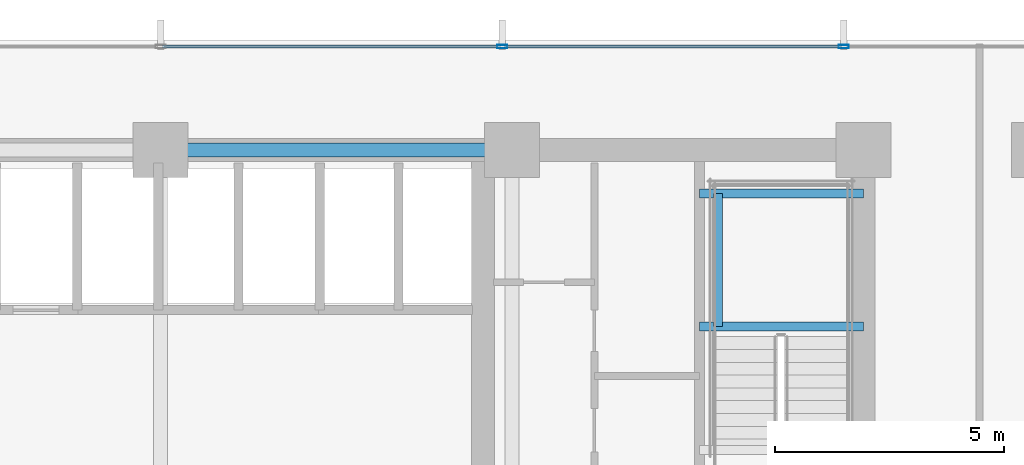
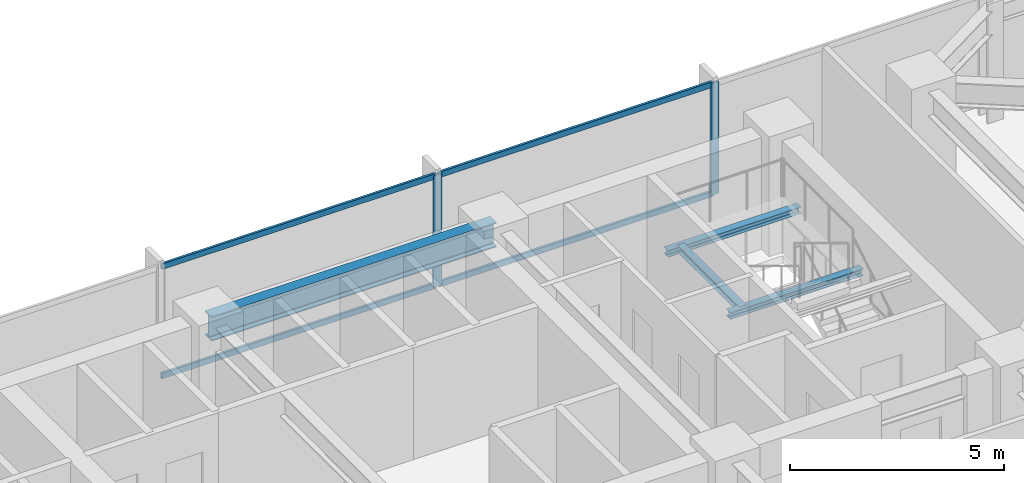
# One storey, part 19 of 32: 6 members, 4 beams, 1 element without a shape of its own.
"""IFC4 building model written with IfcOpenShell, lengths in metres."""

from ifc_helpers import new_model, si_unit, direction, frame, origin, origin_2d, place, context, subcontext, project, spatial, hollow_rectangle, i_section, extrude, material, material_profile, profile_set, type_object, element, aggregate, save


model = new_model("IFC4")

# Units and contexts
model_context = context("Model", 3, precision=1e-05, world=origin(), true_north=direction((0.0, 1.0)))
body_context = subcontext(model_context, "Body", "Model", "MODEL_VIEW")
ifc_project = project(units=[si_unit("LENGTHUNIT", "METRE"), si_unit("AREAUNIT", "SQUARE_METRE"), si_unit("VOLUMEUNIT", "CUBIC_METRE"), si_unit("PLANEANGLEUNIT", "RADIAN"), si_unit("MASSUNIT", "GRAM", prefix="KILO")], contexts=[model_context])

# Site, building, storey
site_placement = place(None, origin())
site = spatial("IfcSite", under=ifc_project, at=site_placement, CompositionType="ELEMENT")
building_placement = place(site_placement, origin())
building = spatial("IfcBuilding", under=site, at=building_placement, Name="Yelkora Congress Tower", CompositionType="ELEMENT")
storey_placement = place(building_placement, frame((0.0, 0.0, 67.800048828125)))
storey = spatial("IfcBuildingStorey", under=building, at=storey_placement, Name="L17", CompositionType="ELEMENT", Elevation=67.800048828125)

# Beams
ifc_material_1 = material(Name="Steel S355J2", Category="steel")
ifc_material_profile_1 = material_profile(ifc_material_1, i_section(OverallWidth=0.300048828125, OverallDepth=0.699951171875, WebThickness=0.01708984375, FlangeThickness=0.031982421875, FilletRadius=0.027099609375, at=origin_2d()), Name="HEB 700")
ifc_profile_set_1 = profile_set([ifc_material_profile_1], Name="Steel S355J2")
beam_type_1 = type_object("IfcBeamType", Name="BM-GIRD-HEB700", PredefinedType="BEAM", material=ifc_profile_set_1)
beam_1_placement = place(storey_placement, frame((38.39990234375, 46.199951171875, 2.829833984375), z_axis=(1.0, 0.0, 0.0), x_axis=(0.0, 1.0, 0.0)))
element("IfcBeam", 1, at=beam_1_placement, inside=storey, type_object=beam_type_1, Name="L17 Core North Girder 4", PredefinedType="BEAM", context=body_context, shape_type="SweptSolid", body=[
    extrude(i_section(OverallWidth=0.300048828125, OverallDepth=0.699951171875, WebThickness=0.01708984375, FlangeThickness=0.031982421875, FilletRadius=0.027099609375, at=origin_2d()), origin(), (0.0, 0.0, 1.0), 7.68017578125),
])
ifc_material_profile_2 = material_profile(ifc_material_1, i_section(OverallWidth=0.199951171875, OverallDepth=0.18994140625, WebThickness=0.006591796875, FlangeThickness=0.010009765625, FilletRadius=0.01806640625, at=origin_2d()), Name="HEA 200")
ifc_profile_set_2 = profile_set([ifc_material_profile_2], Name="Steel S355J2")
beam_type_2 = type_object("IfcBeamType", Name="BM-LAND-HEA200", PredefinedType="BEAM", material=ifc_profile_set_2)
for number, where, z_axis, x_axis, name in (
    (2, (50.179931640625, 42.340087890625, 1.384521484375), (1.0, 0.0, 0.0), (0.0, 1.0, 0.0), "ST-02 L17 Landing Header Beam 1S"),
    (3, (50.179931640625, 45.25, 1.384521484375), (1.0, 0.0, 0.0), (0.0, 1.0, 0.0), "ST-02 L17 Landing Header Beam 1N"),
):
    element("IfcBeam", number, at=place(storey_placement, frame(where, z_axis=z_axis, x_axis=x_axis)), inside=storey, type_object=beam_type_2, Name=name, PredefinedType="BEAM", context=body_context, shape_type="SweptSolid", body=[
        extrude(i_section(OverallWidth=0.199951171875, OverallDepth=0.18994140625, WebThickness=0.006591796875, FlangeThickness=0.010009765625, FilletRadius=0.01806640625, at=origin_2d()), origin(), (0.0, 0.0, 1.0), 3.580078125),
    ])
beam_2_placement = place(storey_placement, frame((50.580078125, 42.340087890625, 1.384521484375), z_axis=(0.0, 1.0, 0.0), x_axis=(-1.0, 0.0, 0.0)))
element("IfcBeam", 4, at=beam_2_placement, inside=storey, type_object=beam_type_2, Name="ST-02 L17 Landing Trimmer Beam 1M", PredefinedType="BEAM", context=body_context, shape_type="SweptSolid", body=[
    extrude(i_section(OverallWidth=0.199951171875, OverallDepth=0.18994140625, WebThickness=0.006591796875, FlangeThickness=0.010009765625, FilletRadius=0.01806640625, at=origin_2d()), origin(), (0.0, 0.0, 1.0), 2.909912109375),
])

# Curtain wall, members
ifc_material_2 = material(Name="Anodised aluminium and insulated glass", Category="aluminium")
curtain_wall_type = type_object("IfcCurtainWallType", Name="CW-SYS-B1", PredefinedType="NOTDEFINED", material=ifc_material_2)
curtain_wall_placement = place(storey_placement, origin())
curtain_wall = element("IfcCurtainWall", 5, at=curtain_wall_placement, inside=storey, type_object=curtain_wall_type, Name="L17 Unitised Curtain Wall 10", PredefinedType="NOTDEFINED")
ifc_material_3 = material(Name="Anodised aluminium 6063-T6", Category="aluminium")
ifc_material_profile_3 = material_profile(ifc_material_3, hollow_rectangle(XDim=0.074951171875, YDim=0.219970703125, WallThickness=0.0048828125, at=origin_2d()), Name="ALU 75x220x5")
ifc_profile_set_3 = profile_set([ifc_material_profile_3], Name="Anodised aluminium 6063-T6")
member_type_1 = type_object("IfcMemberType", Name="MEM-ML-B1", PredefinedType="MULLION", material=ifc_profile_set_3)
member_1_placement = place(storey_placement, frame((45.864990234375, 48.4599609375, 0.0), z_axis=(0.0, 0.0, 1.0), x_axis=(0.0, 1.0, 0.0)))
member_1 = element("IfcMember", 6, at=member_1_placement, type_object=member_type_1, Name="CW-B1 mullion 6", PredefinedType="MULLION", context=body_context, shape_type="SweptSolid", body=[
    extrude(hollow_rectangle(XDim=0.074951171875, YDim=0.219970703125, WallThickness=0.0048828125, at=origin_2d()), origin(), (0.0, 0.0, 1.0), 3.179931640625),
])
member_2_placement = place(storey_placement, frame((53.330078125, 48.4599609375, 0.0), z_axis=(0.0, 0.0, 1.0), x_axis=(0.0, 1.0, 0.0)))
member_2 = element("IfcMember", 7, at=member_2_placement, type_object=member_type_1, Name="CW-B1 mullion 7", PredefinedType="MULLION", context=body_context, shape_type="SweptSolid", body=[
    extrude(hollow_rectangle(XDim=0.074951171875, YDim=0.219970703125, WallThickness=0.0048828125, at=origin_2d()), origin(), (0.0, 0.0, 1.0), 3.179931640625),
])
ifc_material_profile_4 = material_profile(ifc_material_3, hollow_rectangle(XDim=0.06494140625, YDim=0.159912109375, WallThickness=0.00390625, at=origin_2d()), Name="ALU 65x160x4")
ifc_profile_set_4 = profile_set([ifc_material_profile_4], Name="Anodised aluminium 6063-T6")
member_type_2 = type_object("IfcMemberType", Name="MEM-TR-B1", PredefinedType="USERDEFINED", material=ifc_profile_set_4)
member_3_placement = place(storey_placement, frame((38.4375, 48.4599609375, 0.032470703125), z_axis=(1.0, 0.0, 0.0), x_axis=(0.0, 1.0, 0.0)))
member_3 = element("IfcMember", 8, at=member_3_placement, type_object=member_type_2, Name="CW-B1 transom 5.1", ObjectType="TRANSOM", PredefinedType="USERDEFINED", context=body_context, shape_type="SweptSolid", body=[
    extrude(hollow_rectangle(XDim=0.06494140625, YDim=0.159912109375, WallThickness=0.00390625, at=origin_2d()), origin(), (0.0, 0.0, 1.0), 7.389892578125),
])
member_4_placement = place(storey_placement, frame((38.4375, 48.4599609375, 3.1474609375), z_axis=(1.0, 0.0, 0.0), x_axis=(0.0, 1.0, 0.0)))
member_4 = element("IfcMember", 9, at=member_4_placement, type_object=member_type_2, Name="CW-B1 transom 5.2", ObjectType="TRANSOM", PredefinedType="USERDEFINED", context=body_context, shape_type="SweptSolid", body=[
    extrude(hollow_rectangle(XDim=0.06494140625, YDim=0.159912109375, WallThickness=0.00390625, at=origin_2d()), origin(), (0.0, 0.0, 1.0), 7.389892578125),
])
member_5_placement = place(storey_placement, frame((45.902587890625, 48.4599609375, 0.032470703125), z_axis=(1.0, 0.0, 0.0), x_axis=(0.0, 1.0, 0.0)))
member_5 = element("IfcMember", 10, at=member_5_placement, type_object=member_type_2, Name="CW-B1 transom 6.1", ObjectType="TRANSOM", PredefinedType="USERDEFINED", context=body_context, shape_type="SweptSolid", body=[
    extrude(hollow_rectangle(XDim=0.06494140625, YDim=0.159912109375, WallThickness=0.00390625, at=origin_2d()), origin(), (0.0, 0.0, 1.0), 7.389892578125),
])
member_6_placement = place(storey_placement, frame((45.902587890625, 48.4599609375, 3.1474609375), z_axis=(1.0, 0.0, 0.0), x_axis=(0.0, 1.0, 0.0)))
member_6 = element("IfcMember", 11, at=member_6_placement, type_object=member_type_2, Name="CW-B1 transom 6.2", ObjectType="TRANSOM", PredefinedType="USERDEFINED", context=body_context, shape_type="SweptSolid", body=[
    extrude(hollow_rectangle(XDim=0.06494140625, YDim=0.159912109375, WallThickness=0.00390625, at=origin_2d()), origin(), (0.0, 0.0, 1.0), 7.389892578125),
])
aggregate(curtain_wall, [member_1, member_2, member_3, member_4, member_5, member_6])

save(model, "model.ifc")
